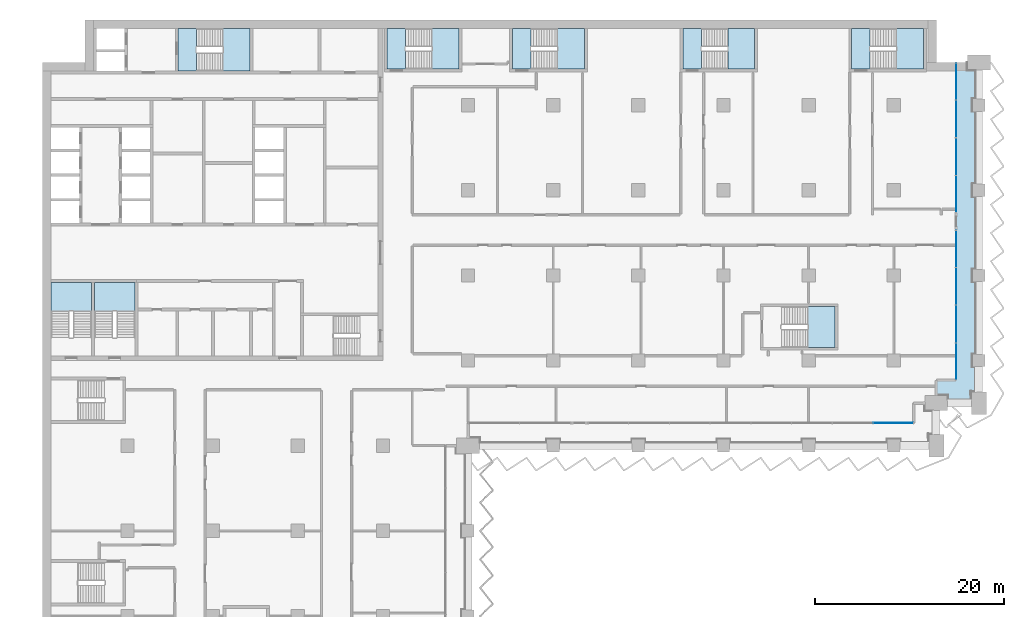
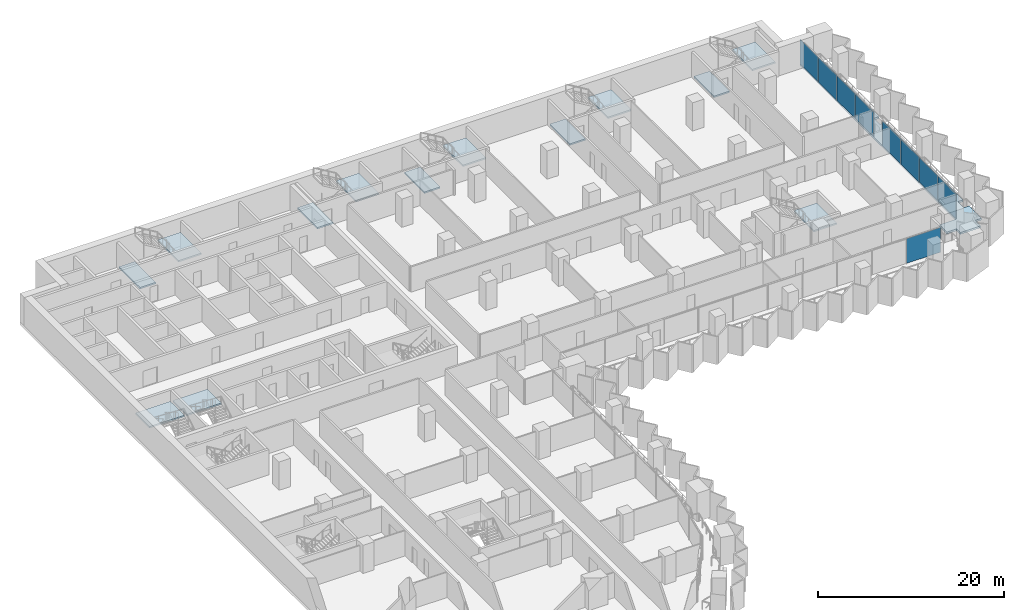
# One storey, part 9 of 29: 14 slabs, 9 plates, 11 elements without a shape of their own.
"""IFC4 building model written with IfcOpenShell, lengths in metres."""

from ifc_helpers import new_model, si_unit, direction, frame, origin, origin_2d, place, context, subcontext, project, spatial, polyline, rectangle, outline, extrude, material, layer, layer_set, type_object, element, aggregate, save


model = new_model("IFC4")

# Units and contexts
model_context = context("Model", 3, precision=1e-05, world=origin(), true_north=direction((0.0, 1.0)))
body_context = subcontext(model_context, "Body", "Model", "MODEL_VIEW")
ifc_project = project(units=[si_unit("LENGTHUNIT", "METRE"), si_unit("AREAUNIT", "SQUARE_METRE"), si_unit("VOLUMEUNIT", "CUBIC_METRE"), si_unit("PLANEANGLEUNIT", "RADIAN"), si_unit("MASSUNIT", "GRAM", prefix="KILO")], contexts=[model_context])

# Site, building, storey
site_placement = place(None, origin())
site = spatial("IfcSite", under=ifc_project, at=site_placement, CompositionType="ELEMENT")
building_placement = place(site_placement, origin())
building = spatial("IfcBuilding", under=site, at=building_placement, Name="Hunhe Ridgeline Campus", CompositionType="ELEMENT")
storey_placement = place(building_placement, frame((0.0, 0.0, 69.10009765625)))
storey = spatial("IfcBuildingStorey", under=building, at=storey_placement, Name="L16", CompositionType="ELEMENT", Elevation=69.10009765625)

# Curtain wall, plate
ifc_material_1 = material(Name="Aluminium 6063", Category="aluminium")
curtain_wall_type = type_object("IfcCurtainWallType", Name="Curtain wall CW-1", PredefinedType="NOTDEFINED", material=ifc_material_1)
curtain_wall_1_placement = place(storey_placement, origin())
curtain_wall_1 = element("IfcCurtainWall", 1, at=curtain_wall_1_placement, inside=storey, type_object=curtain_wall_type, Name="Curtain wall 13", PredefinedType="NOTDEFINED")
ifc_material_2 = material(Name="Low-e laminated glass", Category="glass")
ifc_layer_1 = layer(ifc_material_2, 0.028076171875)
ifc_layer_set_1 = layer_set([ifc_layer_1], Name="Curtain wall glass panel 28 low-e laminated")
plate_type = type_object("IfcPlateType", Name="Curtain wall glass panel 28 low-e laminated", PredefinedType="CURTAIN_PANEL", material=ifc_layer_set_1)
plate_1_placement = place(storey_placement, frame((89.932373046875, 56.40087890625, 0.0), z_axis=(0.0, 0.0, 1.0), x_axis=(0.999999999994, 3.602063e-06, 0.0)))
plate_1 = element("IfcPlate", 2, at=plate_1_placement, type_object=plate_type, Name="CW-1 panel 8", PredefinedType="CURTAIN_PANEL", context=body_context, shape_type="SweptSolid", body=[
    extrude(rectangle(XDim=4.213134765625, YDim=0.028076171875, at=origin_2d()), origin(), (0.0, 0.0, 1.0), 3.239990234375),
])
aggregate(curtain_wall_1, [plate_1])

# Curtain wall, plates
curtain_wall_2_placement = place(storey_placement, origin())
curtain_wall_2 = element("IfcCurtainWall", 3, at=curtain_wall_2_placement, inside=storey, type_object=curtain_wall_type, Name="Curtain wall 14", PredefinedType="NOTDEFINED")
plate_2_placement = place(storey_placement, frame((96.59912109375, 62.9033203125, 0.0), z_axis=(0.0, 0.0, 1.0), x_axis=(0.0, 1.0, 0.0)))
plate_2 = element("IfcPlate", 4, at=plate_2_placement, type_object=plate_type, Name="CW-1 panel 1", PredefinedType="CURTAIN_PANEL", context=body_context, shape_type="SweptSolid", body=[
    extrude(rectangle(XDim=3.884765625, YDim=0.028076171875, at=origin_2d()), origin(), (0.0, 0.0, 1.0), 3.239990234375),
])
plate_3_placement = place(storey_placement, frame((96.59912109375, 66.86328125, 0.0), z_axis=(0.0, 0.0, 1.0), x_axis=(0.0, 1.0, 0.0)))
plate_3 = element("IfcPlate", 5, at=plate_3_placement, type_object=plate_type, Name="CW-1 panel 2", PredefinedType="CURTAIN_PANEL", context=body_context, shape_type="SweptSolid", body=[
    extrude(rectangle(XDim=3.914794921875, YDim=0.028076171875, at=origin_2d()), origin(), (0.0, 0.0, 1.0), 3.239990234375),
])
plate_4_placement = place(storey_placement, frame((96.59912109375, 70.838134765625, 0.0), z_axis=(0.0, 0.0, 1.0), x_axis=(0.0, 1.0, 0.0)))
plate_4 = element("IfcPlate", 6, at=plate_4_placement, type_object=plate_type, Name="CW-1 panel 3", PredefinedType="CURTAIN_PANEL", context=body_context, shape_type="SweptSolid", body=[
    extrude(rectangle(XDim=3.914794921875, YDim=0.028076171875, at=origin_2d()), origin(), (0.0, 0.0, 1.0), 3.239990234375),
])
plate_5_placement = place(storey_placement, frame((96.59912109375, 74.798095703125, 0.0), z_axis=(0.0, 0.0, 1.0), x_axis=(0.0, 1.0, 0.0)))
plate_5 = element("IfcPlate", 7, at=plate_5_placement, type_object=plate_type, Name="CW-1 panel 4", PredefinedType="CURTAIN_PANEL", context=body_context, shape_type="SweptSolid", body=[
    extrude(rectangle(XDim=3.884765625, YDim=0.028076171875, at=origin_2d()), origin(), (0.0, 0.0, 1.0), 3.239990234375),
])
aggregate(curtain_wall_2, [plate_2, plate_3, plate_4, plate_5])

curtain_wall_3_placement = place(storey_placement, origin())
curtain_wall_3 = element("IfcCurtainWall", 8, at=curtain_wall_3_placement, inside=storey, type_object=curtain_wall_type, Name="Curtain wall 15", PredefinedType="NOTDEFINED")
plate_6_placement = place(storey_placement, frame((96.59912109375, 80.60302734375, 0.0), z_axis=(0.0, 0.0, 1.0), x_axis=(0.0, 1.0, 0.0)))
plate_6 = element("IfcPlate", 9, at=plate_6_placement, type_object=plate_type, Name="CW-1 panel 1", PredefinedType="CURTAIN_PANEL", context=body_context, shape_type="SweptSolid", body=[
    extrude(rectangle(XDim=3.884765625, YDim=0.028076171875, at=origin_2d()), origin(), (0.0, 0.0, 1.0), 3.239990234375),
])
plate_7_placement = place(storey_placement, frame((96.59912109375, 84.562744140625, 0.0), z_axis=(0.0, 0.0, 1.0), x_axis=(0.0, 1.0, 0.0)))
plate_7 = element("IfcPlate", 10, at=plate_7_placement, type_object=plate_type, Name="CW-1 panel 2", PredefinedType="CURTAIN_PANEL", context=body_context, shape_type="SweptSolid", body=[
    extrude(rectangle(XDim=3.914794921875, YDim=0.028076171875, at=origin_2d()), origin(), (0.0, 0.0, 1.0), 3.239990234375),
])
plate_8_placement = place(storey_placement, frame((96.59912109375, 88.53759765625, 0.0), z_axis=(0.0, 0.0, 1.0), x_axis=(0.0, 1.0, 0.0)))
plate_8 = element("IfcPlate", 11, at=plate_8_placement, type_object=plate_type, Name="CW-1 panel 3", PredefinedType="CURTAIN_PANEL", context=body_context, shape_type="SweptSolid", body=[
    extrude(rectangle(XDim=3.914794921875, YDim=0.028076171875, at=origin_2d()), origin(), (0.0, 0.0, 1.0), 3.239990234375),
])
plate_9_placement = place(storey_placement, frame((96.59912109375, 92.49755859375, 0.0), z_axis=(0.0, 0.0, 1.0), x_axis=(0.0, 1.0, 0.0)))
plate_9 = element("IfcPlate", 12, at=plate_9_placement, type_object=plate_type, Name="CW-1 panel 4", PredefinedType="CURTAIN_PANEL", context=body_context, shape_type="SweptSolid", body=[
    extrude(rectangle(XDim=3.884765625, YDim=0.028076171875, at=origin_2d()), origin(), (0.0, 0.0, 1.0), 3.239990234375),
])
aggregate(curtain_wall_3, [plate_6, plate_7, plate_8, plate_9])

# Slab
ifc_material_3 = material(Name="Concrete C40", Category="concrete")
ifc_layer_2 = layer(ifc_material_3, 0.25)
ifc_layer_set_2 = layer_set([ifc_layer_2], Name="Loggia slab 250 Concrete C40")
slab_type_1 = type_object("IfcSlabType", Name="Loggia slab 250 Concrete C40", PredefinedType="FLOOR", material=ifc_layer_set_2)
slab_1_placement = place(storey_placement, frame((0.0, 0.0, -0.25)))
element("IfcSlab", 13, at=slab_1_placement, inside=storey, type_object=slab_type_1, Name="Loggia slab 3", PredefinedType="FLOOR", context=body_context, shape_type="SweptSolid", body=[
    extrude(outline(polyline([(94.5, 59.300048828125), (95.699951171875, 59.300048828125), (95.699951171875, 58.5), (98.199951171875, 58.5), (98.199951171875, 59.699951171875), (99.0, 59.699951171875), (99.0, 62.35009765625), (98.35009765625, 62.35009765625), (98.35009765625, 63.64990234375), (99.0, 63.64990234375), (99.0, 71.35009765625), (98.35009765625, 71.35009765625), (98.35009765625, 72.64990234375), (99.0, 72.64990234375), (99.0, 80.35009765625), (98.35009765625, 80.35009765625), (98.35009765625, 81.64990234375), (99.0, 81.64990234375), (99.0, 89.35009765625), (98.35009765625, 89.35009765625), (98.35009765625, 90.64990234375), (99.0, 90.64990234375), (99.0, 93.699951171875), (97.800048828125, 93.699951171875), (97.800048828125, 94.5), (96.60009765625, 94.5), (96.60009765625, 60.89990234375), (94.5, 60.89990234375), (94.5, 59.300048828125)])), origin(), (0.0, 0.0, 1.0), 0.25),
])

# Stair, slab
stair_type = type_object("IfcStairType", Name="Reinforced concrete dog-leg stair 1950 Concrete C40", PredefinedType="HALF_TURN_STAIR", material=ifc_material_3)
stair_1_placement = place(storey_placement, origin())
stair_1 = element("IfcStair", 14, at=stair_1_placement, inside=storey, type_object=stair_type, Name="L16 S1", PredefinedType="HALF_TURN_STAIR")
ifc_layer_3 = layer(ifc_material_3, 0.199951171875)
ifc_layer_set_3 = layer_set([ifc_layer_3], Name="Reinforced concrete stair landing 200 Concrete C40")
slab_type_2 = type_object("IfcSlabType", Name="Reinforced concrete stair landing 200 Concrete C40", PredefinedType="LANDING", material=ifc_layer_set_3)
slab_2_placement = place(storey_placement, frame((0.0, 0.0, 1.64990234375)))
slab_2 = element("IfcSlab", 15, at=slab_2_placement, type_object=slab_type_2, Name="ST1 landing 1", PredefinedType="LANDING", context=body_context, shape_type="SweptSolid", body=[
    extrude(outline(polyline([(19.10009765625, 93.60009765625), (21.949951171875, 93.60009765625), (21.949951171875, 98.10009765625), (19.10009765625, 98.10009765625), (19.10009765625, 93.60009765625)])), origin(), (0.0, 0.0, 1.0), 0.199951171875),
])
aggregate(stair_1, [slab_2])

# Slab
slab_3_placement = place(storey_placement, frame((0.0, 0.0, -0.2001953125)))
element("IfcSlab", 16, at=slab_3_placement, inside=storey, type_object=slab_type_2, Name="L16 stair S1 floor landing", PredefinedType="LANDING", context=body_context, shape_type="SweptSolid", body=[
    extrude(outline(polyline([(14.35009765625, 93.60009765625), (16.300048828125, 93.60009765625), (16.300048828125, 98.10009765625), (14.35009765625, 98.10009765625), (14.35009765625, 93.60009765625)])), origin(), (0.0, 0.0, 1.0), 0.2001953125),
])

# Stair, slab
stair_2_placement = place(storey_placement, origin())
stair_2 = element("IfcStair", 17, at=stair_2_placement, inside=storey, type_object=stair_type, Name="L16 S3", PredefinedType="HALF_TURN_STAIR")
slab_4_placement = place(storey_placement, frame((0.0, 0.0, 1.64990234375)))
slab_4 = element("IfcSlab", 18, at=slab_4_placement, type_object=slab_type_2, Name="ST3 landing 1", PredefinedType="LANDING", context=body_context, shape_type="SweptSolid", body=[
    extrude(outline(polyline([(5.199951171875, 68.25), (5.199951171875, 71.25), (0.89990234375, 71.25), (0.89990234375, 68.25), (5.199951171875, 68.25)])), origin(), (0.0, 0.0, 1.0), 0.199951171875),
])
aggregate(stair_2, [slab_4])

stair_3_placement = place(storey_placement, origin())
stair_3 = element("IfcStair", 19, at=stair_3_placement, inside=storey, type_object=stair_type, Name="L16 S4", PredefinedType="HALF_TURN_STAIR")
slab_5_placement = place(storey_placement, frame((0.0, 0.0, 1.64990234375)))
slab_5 = element("IfcSlab", 20, at=slab_5_placement, type_object=slab_type_2, Name="ST4 landing 1", PredefinedType="LANDING", context=body_context, shape_type="SweptSolid", body=[
    extrude(outline(polyline([(9.800048828125, 68.25), (9.800048828125, 71.25), (5.5, 71.25), (5.5, 68.25), (9.800048828125, 68.25)])), origin(), (0.0, 0.0, 1.0), 0.199951171875),
])
aggregate(stair_3, [slab_5])

stair_4_placement = place(storey_placement, origin())
stair_4 = element("IfcStair", 21, at=stair_4_placement, inside=storey, type_object=stair_type, Name="L16 E1", PredefinedType="HALF_TURN_STAIR")
slab_6_placement = place(storey_placement, frame((0.0, 0.0, 1.64990234375)))
slab_6 = element("IfcSlab", 22, at=slab_6_placement, type_object=slab_type_2, Name="ST5 landing 1", PredefinedType="LANDING", context=body_context, shape_type="SweptSolid", body=[
    extrude(outline(polyline([(41.199951171875, 93.800048828125), (44.050048828125, 93.800048828125), (44.050048828125, 98.10009765625), (41.199951171875, 98.10009765625), (41.199951171875, 93.800048828125)])), origin(), (0.0, 0.0, 1.0), 0.199951171875),
])
aggregate(stair_4, [slab_6])

# Slab
slab_7_placement = place(storey_placement, frame((0.0, 0.0, -0.2001953125)))
element("IfcSlab", 23, at=slab_7_placement, inside=storey, type_object=slab_type_2, Name="L16 stair E1 floor landing", PredefinedType="LANDING", context=body_context, shape_type="SweptSolid", body=[
    extrude(outline(polyline([(36.449951171875, 93.800048828125), (38.39990234375, 93.800048828125), (38.39990234375, 98.10009765625), (36.449951171875, 98.10009765625), (36.449951171875, 93.800048828125)])), origin(), (0.0, 0.0, 1.0), 0.2001953125),
])

# Stair, slab
stair_5_placement = place(storey_placement, origin())
stair_5 = element("IfcStair", 24, at=stair_5_placement, inside=storey, type_object=stair_type, Name="L16 E2", PredefinedType="HALF_TURN_STAIR")
slab_8_placement = place(storey_placement, frame((0.0, 0.0, 1.64990234375)))
slab_8 = element("IfcSlab", 25, at=slab_8_placement, type_object=slab_type_2, Name="ST6 landing 1", PredefinedType="LANDING", context=body_context, shape_type="SweptSolid", body=[
    extrude(outline(polyline([(54.449951171875, 93.800048828125), (57.300048828125, 93.800048828125), (57.300048828125, 98.10009765625), (54.449951171875, 98.10009765625), (54.449951171875, 93.800048828125)])), origin(), (0.0, 0.0, 1.0), 0.199951171875),
])
aggregate(stair_5, [slab_8])

# Slab
slab_9_placement = place(storey_placement, frame((0.0, 0.0, -0.2001953125)))
element("IfcSlab", 26, at=slab_9_placement, inside=storey, type_object=slab_type_2, Name="L16 stair E2 floor landing", PredefinedType="LANDING", context=body_context, shape_type="SweptSolid", body=[
    extrude(outline(polyline([(49.699951171875, 93.800048828125), (51.64990234375, 93.800048828125), (51.64990234375, 98.10009765625), (49.699951171875, 98.10009765625), (49.699951171875, 93.800048828125)])), origin(), (0.0, 0.0, 1.0), 0.2001953125),
])

# Stair, slab
stair_6_placement = place(storey_placement, origin())
stair_6 = element("IfcStair", 27, at=stair_6_placement, inside=storey, type_object=stair_type, Name="L16 E3", PredefinedType="HALF_TURN_STAIR")
slab_10_placement = place(storey_placement, frame((0.0, 0.0, 1.64990234375)))
slab_10 = element("IfcSlab", 28, at=slab_10_placement, type_object=slab_type_2, Name="ST7 landing 1", PredefinedType="LANDING", context=body_context, shape_type="SweptSolid", body=[
    extrude(outline(polyline([(72.449951171875, 93.800048828125), (75.300048828125, 93.800048828125), (75.300048828125, 98.10009765625), (72.449951171875, 98.10009765625), (72.449951171875, 93.800048828125)])), origin(), (0.0, 0.0, 1.0), 0.199951171875),
])
aggregate(stair_6, [slab_10])

# Slab
slab_11_placement = place(storey_placement, frame((0.0, 0.0, -0.2001953125)))
element("IfcSlab", 29, at=slab_11_placement, inside=storey, type_object=slab_type_2, Name="L16 stair E3 floor landing", PredefinedType="LANDING", context=body_context, shape_type="SweptSolid", body=[
    extrude(outline(polyline([(67.699951171875, 93.800048828125), (69.64990234375, 93.800048828125), (69.64990234375, 98.10009765625), (67.699951171875, 98.10009765625), (67.699951171875, 93.800048828125)])), origin(), (0.0, 0.0, 1.0), 0.2001953125),
])

# Stair, slab
stair_7_placement = place(storey_placement, origin())
stair_7 = element("IfcStair", 30, at=stair_7_placement, inside=storey, type_object=stair_type, Name="L16 E4", PredefinedType="HALF_TURN_STAIR")
slab_12_placement = place(storey_placement, frame((0.0, 0.0, 1.64990234375)))
slab_12 = element("IfcSlab", 31, at=slab_12_placement, type_object=slab_type_2, Name="ST8 landing 1", PredefinedType="LANDING", context=body_context, shape_type="SweptSolid", body=[
    extrude(outline(polyline([(90.300048828125, 93.800048828125), (93.14990234375, 93.800048828125), (93.14990234375, 98.10009765625), (90.300048828125, 98.10009765625), (90.300048828125, 93.800048828125)])), origin(), (0.0, 0.0, 1.0), 0.199951171875),
])
aggregate(stair_7, [slab_12])

# Slab
slab_13_placement = place(storey_placement, frame((0.0, 0.0, -0.2001953125)))
element("IfcSlab", 32, at=slab_13_placement, inside=storey, type_object=slab_type_2, Name="L16 stair E4 floor landing", PredefinedType="LANDING", context=body_context, shape_type="SweptSolid", body=[
    extrude(outline(polyline([(85.550048828125, 93.800048828125), (87.5, 93.800048828125), (87.5, 98.10009765625), (85.550048828125, 98.10009765625), (85.550048828125, 93.800048828125)])), origin(), (0.0, 0.0, 1.0), 0.2001953125),
])

# Stair, slab
stair_8_placement = place(storey_placement, origin())
stair_8 = element("IfcStair", 33, at=stair_8_placement, inside=storey, type_object=stair_type, Name="L16 E5", PredefinedType="HALF_TURN_STAIR")
slab_14_placement = place(storey_placement, frame((0.0, 0.0, 1.64990234375)))
slab_14 = element("IfcSlab", 34, at=slab_14_placement, type_object=slab_type_2, Name="ST10 landing 1", PredefinedType="LANDING", context=body_context, shape_type="SweptSolid", body=[
    extrude(outline(polyline([(80.949951171875, 64.39990234375), (83.800048828125, 64.39990234375), (83.800048828125, 68.699951171875), (80.949951171875, 68.699951171875), (80.949951171875, 64.39990234375)])), origin(), (0.0, 0.0, 1.0), 0.199951171875),
])
aggregate(stair_8, [slab_14])

save(model, "model.ifc")
